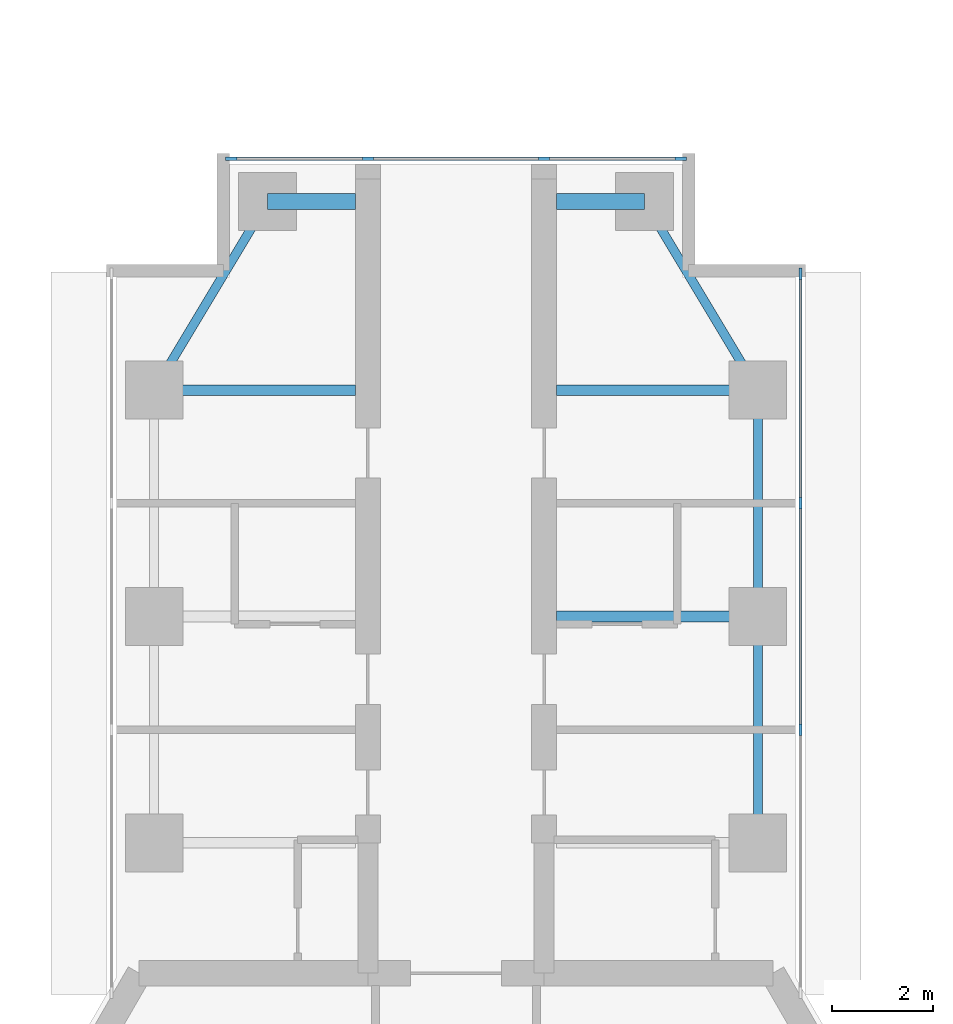
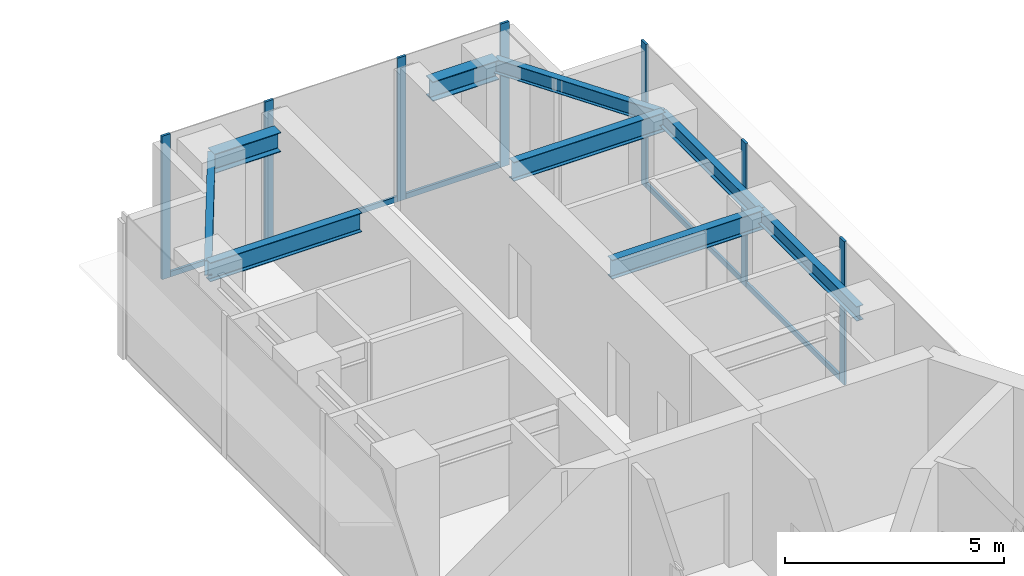
# One storey, part 9 of 17: 12 members, 9 beams, 2 elements without a shape of their own.
"""IFC4 building model written with IfcOpenShell, lengths in metres."""

from ifc_helpers import new_model, si_unit, direction, frame, origin, origin_2d, place, context, subcontext, project, spatial, rectangle, i_section, extrude, material, material_profile, profile_set, type_object, element, aggregate, save


model = new_model("IFC4")

# Units and contexts
model_context = context("Model", 3, precision=1e-05, world=origin(), true_north=direction((0.0, 1.0)))
body_context = subcontext(model_context, "Body", "Model", "MODEL_VIEW")
ifc_project = project(units=[si_unit("LENGTHUNIT", "METRE"), si_unit("AREAUNIT", "SQUARE_METRE"), si_unit("VOLUMEUNIT", "CUBIC_METRE"), si_unit("PLANEANGLEUNIT", "RADIAN"), si_unit("MASSUNIT", "GRAM", prefix="KILO")], contexts=[model_context])

# Site, building, storey
site_placement = place(None, origin())
site = spatial("IfcSite", under=ifc_project, at=site_placement, CompositionType="ELEMENT")
building_placement = place(site_placement, origin())
building = spatial("IfcBuilding", under=site, at=building_placement, Name="Upepo Twin Towers", CompositionType="ELEMENT")
storey_placement = place(building_placement, frame((0.0, 0.0, 194.5)))
storey = spatial("IfcBuildingStorey", under=building, at=storey_placement, Name="L47", CompositionType="ELEMENT", Elevation=194.5)

# Beams
ifc_material_1 = material(Name="Steel S355", Category="steel")
ifc_material_profile_1 = material_profile(ifc_material_1, i_section(OverallWidth=0.177978515625, OverallDepth=0.406494140625, WebThickness=0.0078125, FlangeThickness=0.0126953125, FilletRadius=0.01025390625, at=origin_2d()), Name="UB 406x178x60")
ifc_profile_set_1 = profile_set([ifc_material_profile_1], Name="Steel S355")
beam_type_1 = type_object("IfcBeamType", Name="Beam UB 406x178x60", PredefinedType="BEAM", material=ifc_profile_set_1)
beam_1_placement = place(storey_placement, frame((52.5, 4.5, 3.5966796875), z_axis=(0.514495755428, 0.857492925713, 0.0), x_axis=(-0.857492925713, 0.514495755428, 0.0)))
element("IfcBeam", 1, at=beam_1_placement, inside=storey, type_object=beam_type_1, Name="T2 nose edge beam AL", PredefinedType="BEAM", context=body_context, shape_type="SweptSolid", body=[
    extrude(i_section(OverallWidth=0.177978515625, OverallDepth=0.406494140625, WebThickness=0.0078125, FlangeThickness=0.0126953125, FilletRadius=0.01025390625, at=origin_2d()), origin(), (0.0, 0.0, 1.0), 4.373291015625),
])
for number, where, z_axis, x_axis, name in (
    (2, (64.5, -4.5, 3.5966796875), (0.0, 1.0, 0.0), (-1.0, 0.0, 0.0), "T2 edge beam AR 13.5-18.0"),
    (3, (64.5, 0.0, 3.5966796875), (0.0, 1.0, 0.0), (-1.0, 0.0, 0.0), "T2 edge beam AR 18.0-22.5"),
):
    element("IfcBeam", number, at=place(storey_placement, frame(where, z_axis=z_axis, x_axis=x_axis)), inside=storey, type_object=beam_type_1, Name=name, PredefinedType="BEAM", context=body_context, shape_type="SweptSolid", body=[
        extrude(i_section(OverallWidth=0.177978515625, OverallDepth=0.406494140625, WebThickness=0.0078125, FlangeThickness=0.0126953125, FilletRadius=0.01025390625, at=origin_2d()), origin(), (0.0, 0.0, 1.0), 4.5),
    ])
beam_2_placement = place(storey_placement, frame((64.5, 4.5, 3.5966796875), z_axis=(-0.514495755428, 0.857492925713, 0.0), x_axis=(-0.857492925713, -0.514495755428, 0.0)))
element("IfcBeam", 4, at=beam_2_placement, inside=storey, type_object=beam_type_1, Name="T2 nose edge beam AR", PredefinedType="BEAM", context=body_context, shape_type="SweptSolid", body=[
    extrude(i_section(OverallWidth=0.177978515625, OverallDepth=0.406494140625, WebThickness=0.0078125, FlangeThickness=0.0126953125, FilletRadius=0.01025390625, at=origin_2d()), origin(), (0.0, 0.0, 1.0), 4.373291015625),
])
ifc_material_2 = material(Name="Steel S355", Category="steel")
ifc_material_profile_2 = material_profile(ifc_material_2, i_section(OverallWidth=0.209228515625, OverallDepth=0.533203125, WebThickness=0.010009765625, FlangeThickness=0.015625, FilletRadius=0.0126953125, at=origin_2d()), Name="UB 533x210x92")
ifc_profile_set_2 = profile_set([ifc_material_profile_2], Name="Steel S355")
beam_type_2 = type_object("IfcBeamType", Name="Beam UB 533x210x92", PredefinedType="BEAM", material=ifc_profile_set_2)
for number, where, z_axis, x_axis, name in (
    (5, (52.5, 4.5, 3.533447265625), (1.0, 0.0, 0.0), (0.0, 1.0, 0.0), "T2 girder AL at 22.5"),
    (6, (64.5, 0.0, 3.533447265625), (-1.0, 0.0, 0.0), (0.0, -1.0, 0.0), "T2 girder AR at 18.0"),
    (7, (64.5, 4.5, 3.533447265625), (-1.0, 0.0, 0.0), (0.0, -1.0, 0.0), "T2 girder AR at 22.5"),
):
    element("IfcBeam", number, at=place(storey_placement, frame(where, z_axis=z_axis, x_axis=x_axis)), inside=storey, type_object=beam_type_2, Name=name, PredefinedType="BEAM", context=body_context, shape_type="SweptSolid", body=[
        extrude(i_section(OverallWidth=0.209228515625, OverallDepth=0.533203125, WebThickness=0.010009765625, FlangeThickness=0.015625, FilletRadius=0.0126953125, at=origin_2d()), origin(), (0.0, 0.0, 1.0), 4.0),
    ])
ifc_material_3 = material(Name="Steel S355", Category="steel")
ifc_material_profile_3 = material_profile(ifc_material_3, i_section(OverallWidth=0.31201171875, OverallDepth=0.54345703125, WebThickness=0.0126953125, FlangeThickness=0.020263671875, FilletRadius=0.0126953125, at=origin_2d()), Name="UB 533x312x150")
ifc_profile_set_3 = profile_set([ifc_material_profile_3], Name="Steel S355")
beam_type_3 = type_object("IfcBeamType", Name="Beam UB 533x312x150", PredefinedType="BEAM", material=ifc_profile_set_3)
for number, where, z_axis, x_axis, name in (
    (8, (54.75, 8.25, 3.5283203125), (1.0, 0.0, 0.0), (0.0, 1.0, 0.0), "T2 nose beam AL"),
    (9, (62.25, 8.25, 3.5283203125), (-1.0, 0.0, 0.0), (0.0, -1.0, 0.0), "T2 nose beam AR"),
):
    element("IfcBeam", number, at=place(storey_placement, frame(where, z_axis=z_axis, x_axis=x_axis)), inside=storey, type_object=beam_type_3, Name=name, PredefinedType="BEAM", context=body_context, shape_type="SweptSolid", body=[
        extrude(i_section(OverallWidth=0.31201171875, OverallDepth=0.54345703125, WebThickness=0.0126953125, FlangeThickness=0.020263671875, FilletRadius=0.0126953125, at=origin_2d()), origin(), (0.0, 0.0, 1.0), 1.75),
    ])

# Curtain wall, members
ifc_material_4 = material(Name="Aluminium and fritted glass", Category="aluminium")
curtain_wall_type = type_object("IfcCurtainWallType", Name="Tower curtain wall TW3, fritted glass", PredefinedType="NOTDEFINED", material=ifc_material_4)
curtain_wall_1_placement = place(storey_placement, origin())
curtain_wall_1 = element("IfcCurtainWall", 10, at=curtain_wall_1_placement, inside=storey, type_object=curtain_wall_type, Name="T2 L47 wing A flank R curtain wall", PredefinedType="NOTDEFINED")
ifc_material_5 = material(Name="Aluminium mullion", Category="aluminium")
ifc_material_profile_4 = material_profile(ifc_material_5, rectangle(XDim=0.06494140625, YDim=0.22509765625, at=origin_2d()), Name="MULLION 65x225")
ifc_profile_set_4 = profile_set([ifc_material_profile_4], Name="Aluminium mullion")
member_type_1 = type_object("IfcMemberType", Name="Mullion 65x225 TW3", PredefinedType="MULLION", material=ifc_profile_set_4)
member_1_placement = place(storey_placement, frame((65.35009765625, 6.8173828125, 0.0), z_axis=(0.0, 0.0, 1.0), x_axis=(1.0, 0.0, 0.0)))
member_1 = element("IfcMember", 11, at=member_1_placement, type_object=member_type_1, Name="T2 L47 wing A flank R curtain wall mullion 1", PredefinedType="MULLION", context=body_context, shape_type="SweptSolid", body=[
    extrude(rectangle(XDim=0.06494140625, YDim=0.22509765625, at=origin_2d()), origin(), (0.0, 0.0, 1.0), 4.0),
])
member_2_placement = place(storey_placement, frame((65.35009765625, 2.25, 0.0), z_axis=(0.0, 0.0, 1.0), x_axis=(1.0, 0.0, 0.0)))
member_2 = element("IfcMember", 12, at=member_2_placement, type_object=member_type_1, Name="T2 L47 wing A flank R curtain wall mullion 2", PredefinedType="MULLION", context=body_context, shape_type="SweptSolid", body=[
    extrude(rectangle(XDim=0.06494140625, YDim=0.22509765625, at=origin_2d()), origin(), (0.0, 0.0, 1.0), 4.0),
])
member_3_placement = place(storey_placement, frame((65.35009765625, -2.25, 0.0), z_axis=(0.0, 0.0, 1.0), x_axis=(1.0, 0.0, 0.0)))
member_3 = element("IfcMember", 13, at=member_3_placement, type_object=member_type_1, Name="T2 L47 wing A flank R curtain wall mullion 3", PredefinedType="MULLION", context=body_context, shape_type="SweptSolid", body=[
    extrude(rectangle(XDim=0.06494140625, YDim=0.22509765625, at=origin_2d()), origin(), (0.0, 0.0, 1.0), 4.0),
])

curtain_wall_2_placement = place(storey_placement, origin())
curtain_wall_2 = element("IfcCurtainWall", 14, at=curtain_wall_2_placement, inside=storey, type_object=curtain_wall_type, Name="T2 L47 wing A nose curtain wall", PredefinedType="NOTDEFINED")
member_4_placement = place(storey_placement, frame((62.967529296875, 9.10009765625, 0.0), z_axis=(0.0, 0.0, 1.0), x_axis=(0.0, -1.0, 0.0)))
member_4 = element("IfcMember", 15, at=member_4_placement, type_object=member_type_1, Name="T2 L47 wing A nose curtain wall mullion 1", PredefinedType="MULLION", context=body_context, shape_type="SweptSolid", body=[
    extrude(rectangle(XDim=0.06494140625, YDim=0.22509765625, at=origin_2d()), origin(), (0.0, 0.0, 1.0), 4.0),
])
member_5_placement = place(storey_placement, frame((60.25, 9.10009765625, 0.0), z_axis=(0.0, 0.0, 1.0), x_axis=(0.0, -1.0, 0.0)))
member_5 = element("IfcMember", 16, at=member_5_placement, type_object=member_type_1, Name="T2 L47 wing A nose curtain wall mullion 2", PredefinedType="MULLION", context=body_context, shape_type="SweptSolid", body=[
    extrude(rectangle(XDim=0.06494140625, YDim=0.22509765625, at=origin_2d()), origin(), (0.0, 0.0, 1.0), 4.0),
])
member_6_placement = place(storey_placement, frame((56.75, 9.10009765625, 0.0), z_axis=(0.0, 0.0, 1.0), x_axis=(0.0, -1.0, 0.0)))
member_6 = element("IfcMember", 17, at=member_6_placement, type_object=member_type_1, Name="T2 L47 wing A nose curtain wall mullion 3", PredefinedType="MULLION", context=body_context, shape_type="SweptSolid", body=[
    extrude(rectangle(XDim=0.06494140625, YDim=0.22509765625, at=origin_2d()), origin(), (0.0, 0.0, 1.0), 4.0),
])
member_7_placement = place(storey_placement, frame((54.032470703125, 9.10009765625, 0.0), z_axis=(0.0, 0.0, 1.0), x_axis=(0.0, -1.0, 0.0)))
member_7 = element("IfcMember", 18, at=member_7_placement, type_object=member_type_1, Name="T2 L47 wing A nose curtain wall mullion 4", PredefinedType="MULLION", context=body_context, shape_type="SweptSolid", body=[
    extrude(rectangle(XDim=0.06494140625, YDim=0.22509765625, at=origin_2d()), origin(), (0.0, 0.0, 1.0), 4.0),
])

# Member
ifc_material_6 = material(Name="Aluminium transom", Category="aluminium")
ifc_material_profile_5 = material_profile(ifc_material_6, rectangle(XDim=0.06494140625, YDim=0.14990234375, at=origin_2d()), Name="TRANSOM 65x150")
ifc_profile_set_5 = profile_set([ifc_material_profile_5], Name="Aluminium transom")
member_type_2 = type_object("IfcMemberType", Name="Transom 65x150 TW3", PredefinedType="USERDEFINED", material=ifc_profile_set_5)
member_8_placement = place(storey_placement, frame((65.35009765625, 6.784912109375, 0.074951171875), z_axis=(0.0, -1.0, 0.0), x_axis=(1.0, 0.0, 0.0)))
member_8 = element("IfcMember", 19, at=member_8_placement, type_object=member_type_2, Name="T2 L47 wing A flank R curtain wall transom 1", ObjectType="TRANSOM", PredefinedType="USERDEFINED", context=body_context, shape_type="SweptSolid", body=[
    extrude(rectangle(XDim=0.06494140625, YDim=0.14990234375, at=origin_2d()), origin(), (0.0, 0.0, 1.0), 4.50244140625),
])

member_9_placement = place(storey_placement, frame((65.35009765625, 2.217529296875, 0.074951171875), z_axis=(0.0, -1.0, 0.0), x_axis=(1.0, 0.0, 0.0)))
member_9 = element("IfcMember", 20, at=member_9_placement, type_object=member_type_2, Name="T2 L47 wing A flank R curtain wall transom 2", ObjectType="TRANSOM", PredefinedType="USERDEFINED", context=body_context, shape_type="SweptSolid", body=[
    extrude(rectangle(XDim=0.06494140625, YDim=0.14990234375, at=origin_2d()), origin(), (0.0, 0.0, 1.0), 4.43505859375),
])

aggregate(curtain_wall_1, [member_1, member_2, member_3, member_8, member_9])

member_10_placement = place(storey_placement, frame((62.93505859375, 9.10009765625, 0.074951171875), z_axis=(-1.0, 0.0, 0.0), x_axis=(0.0, -1.0, 0.0)))
member_10 = element("IfcMember", 21, at=member_10_placement, type_object=member_type_2, Name="T2 L47 wing A nose curtain wall transom 1", ObjectType="TRANSOM", PredefinedType="USERDEFINED", context=body_context, shape_type="SweptSolid", body=[
    extrude(rectangle(XDim=0.06494140625, YDim=0.14990234375, at=origin_2d()), origin(), (0.0, 0.0, 1.0), 2.652587890625),
])

member_11_placement = place(storey_placement, frame((60.217529296875, 9.10009765625, 0.074951171875), z_axis=(-1.0, 0.0, 0.0), x_axis=(0.0, -1.0, 0.0)))
member_11 = element("IfcMember", 22, at=member_11_placement, type_object=member_type_2, Name="T2 L47 wing A nose curtain wall transom 2", ObjectType="TRANSOM", PredefinedType="USERDEFINED", context=body_context, shape_type="SweptSolid", body=[
    extrude(rectangle(XDim=0.06494140625, YDim=0.14990234375, at=origin_2d()), origin(), (0.0, 0.0, 1.0), 3.43505859375),
])

member_12_placement = place(storey_placement, frame((56.717529296875, 9.10009765625, 0.074951171875), z_axis=(-1.0, 0.0, 0.0), x_axis=(0.0, -1.0, 0.0)))
member_12 = element("IfcMember", 23, at=member_12_placement, type_object=member_type_2, Name="T2 L47 wing A nose curtain wall transom 3", ObjectType="TRANSOM", PredefinedType="USERDEFINED", context=body_context, shape_type="SweptSolid", body=[
    extrude(rectangle(XDim=0.06494140625, YDim=0.14990234375, at=origin_2d()), origin(), (0.0, 0.0, 1.0), 2.652587890625),
])

aggregate(curtain_wall_2, [member_4, member_5, member_6, member_7, member_10, member_11, member_12])

save(model, "model.ifc")
